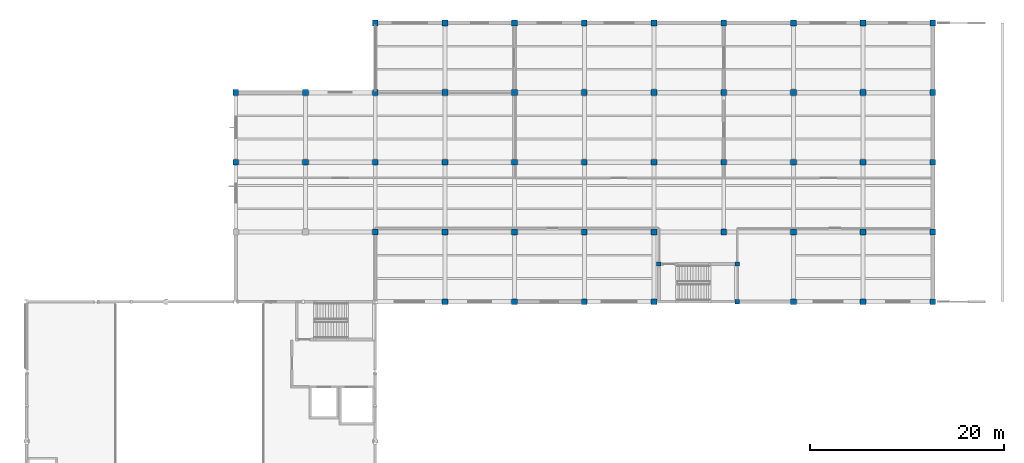
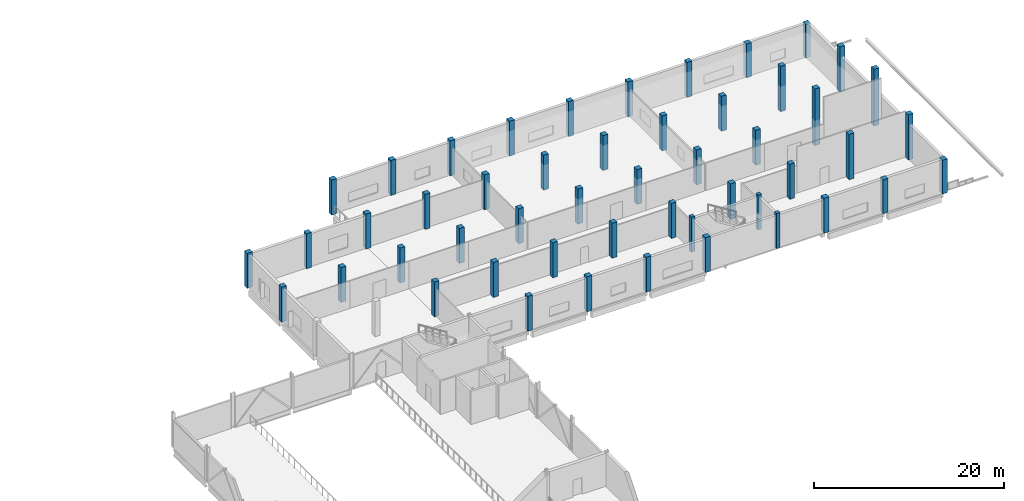
# One storey, part 5 of 105: 50 columns.
"""IFC4 building model written with IfcOpenShell, lengths in metres."""

from ifc_helpers import new_model, si_unit, direction, frame, origin, origin_2d, place, context, subcontext, project, spatial, rectangle, extrude, material, material_profile, profile_set, type_object, element, save


model = new_model("IFC4")

# Units and contexts
model_context = context("Model", 3, precision=1e-05, world=origin(), true_north=direction((0.0, 1.0)))
body_context = subcontext(model_context, "Body", "Model", "MODEL_VIEW")
ifc_project = project(units=[si_unit("LENGTHUNIT", "METRE"), si_unit("AREAUNIT", "SQUARE_METRE"), si_unit("VOLUMEUNIT", "CUBIC_METRE"), si_unit("PLANEANGLEUNIT", "RADIAN"), si_unit("MASSUNIT", "GRAM", prefix="KILO"), si_unit("THERMODYNAMICTEMPERATUREUNIT", "KELVIN"), si_unit("POWERUNIT", "WATT")], contexts=[model_context])

# Site, building, storey
site_placement = place(None, origin())
site = spatial("IfcSite", under=ifc_project, at=site_placement, CompositionType="ELEMENT")
building_placement = place(site_placement, origin())
building = spatial("IfcBuilding", under=site, at=building_placement, Name="Kaldorven Railside Theatre", CompositionType="ELEMENT")
storey_placement = place(building_placement, frame((0.0, 0.0, 9.89990234375)))
storey = spatial("IfcBuildingStorey", under=building, at=storey_placement, Name="L02", CompositionType="ELEMENT", Elevation=9.89990234375)

# Columns
ifc_material = material(Name="Concrete C40/50", Category="concrete")
ifc_material_profile_1 = material_profile(ifc_material, rectangle(XDim=0.449951171875, YDim=0.449951171875, at=origin_2d()), Name="RC 450x450")
ifc_profile_set_1 = profile_set([ifc_material_profile_1], Name="Concrete C40/50")
column_type_1 = type_object("IfcColumnType", Name="COL-RC450", PredefinedType="COLUMN", material=ifc_profile_set_1)
for number, where, z_axis, x_axis, name in (
    (1, (160.60009765625, 112.800048828125, 0.0), (0.0, 0.0, 1.0), (1.0, 0.0, 0.0), "Core ST-08 L02 Boundary Column CCR-042"),
    (2, (160.60009765625, 116.699951171875, 0.0), (0.0, 0.0, 1.0), (1.0, 0.0, 0.0), "Core ST-08 L02 Boundary Column CCR-047"),
    (3, (152.5, 116.699951171875, 0.0), (0.0, 0.0, 1.0), (1.0, 0.0, 0.0), "Core ST-08 L02 Boundary Column CCR-052"),
):
    element("IfcColumn", number, at=place(storey_placement, frame(where, z_axis=z_axis, x_axis=x_axis)), inside=storey, type_object=column_type_1, Name=name, PredefinedType="COLUMN", context=body_context, shape_type="SweptSolid", body=[
        extrude(rectangle(XDim=0.449951171875, YDim=0.449951171875, at=origin_2d()), origin(), (0.0, 0.0, 1.0), 4.5),
    ])
ifc_material_profile_2 = material_profile(ifc_material, rectangle(XDim=0.60009765625, YDim=0.60009765625, at=origin_2d()), Name="RC 600x600")
ifc_profile_set_2 = profile_set([ifc_material_profile_2], Name="Concrete C40/50")
column_type_2 = type_object("IfcColumnType", Name="COL-RC600", PredefinedType="COLUMN", material=ifc_profile_set_2)
for number, where, z_axis, x_axis, name in (
    (4, (130.39990234375, 112.800048828125, 0.0), (0.0, 0.0, 1.0), (0.0, 1.0, 0.0), "L02 Column CG-L02-130-112"),
    (5, (137.60009765625, 112.800048828125, 0.0), (0.0, 0.0, 1.0), (1.0, 0.0, 0.0), "L02 Column CG-L02-137-112"),
    (6, (144.800048828125, 112.800048828125, 0.0), (0.0, 0.0, 1.0), (0.0, 1.0, 0.0), "L02 Column CG-L02-144-112"),
    (7, (152.0, 112.800048828125, 0.0), (0.0, 0.0, 1.0), (1.0, 0.0, 0.0), "L02 Column CG-L02-152-112"),
    (8, (166.39990234375, 112.800048828125, 0.0), (0.0, 0.0, 1.0), (0.0, 1.0, 0.0), "L02 Column CG-L02-166-112"),
):
    element("IfcColumn", number, at=place(storey_placement, frame(where, z_axis=z_axis, x_axis=x_axis)), inside=storey, type_object=column_type_2, Name=name, PredefinedType="COLUMN", context=body_context, shape_type="SweptSolid", body=[
        extrude(rectangle(XDim=0.60009765625, YDim=0.60009765625, at=origin_2d()), origin(), (0.0, 0.0, 1.0), 4.5),
    ])
for number, where, z_axis, x_axis, name in (
    (9, (173.60009765625, 112.800048828125, 0.0), (0.0, 0.0, 1.0), (1.0, 0.0, 0.0), "L02 Column CG-L02-173-112"),
    (10, (180.800048828125, 112.800048828125, 0.0), (0.0, 0.0, 1.0), (0.0, 1.0, 0.0), "L02 Column CG-L02-180-112"),
):
    element("IfcColumn", number, at=place(storey_placement, frame(where, z_axis=z_axis, x_axis=x_axis)), inside=storey, type_object=column_type_2, Name=name, PredefinedType="COLUMN", context=body_context, shape_type="SweptSolid", body=[
        extrude(rectangle(XDim=0.60009765625, YDim=0.60009765625, at=origin_2d()), origin(), (0.0, 0.0, 1.0), 4.346435546875),
    ])
for number, where, z_axis, x_axis, name in (
    (11, (123.199951171875, 120.0, 0.0), (0.0, 0.0, 1.0), (0.0, 1.0, 0.0), "L02 Column CG-L02-123-120"),
    (12, (130.39990234375, 120.0, 0.0), (0.0, 0.0, 1.0), (1.0, 0.0, 0.0), "L02 Column CG-L02-130-120"),
    (13, (137.60009765625, 120.0, 0.0), (0.0, 0.0, 1.0), (0.0, 1.0, 0.0), "L02 Column CG-L02-137-120"),
    (14, (144.800048828125, 120.0, 0.0), (0.0, 0.0, 1.0), (1.0, 0.0, 0.0), "L02 Column CG-L02-144-120"),
    (15, (152.0, 120.0, 0.0), (0.0, 0.0, 1.0), (1.0, 0.0, 0.0), "L02 Column CG-L02-152-120"),
    (16, (159.199951171875, 120.0, 0.0), (0.0, 0.0, 1.0), (0.0, 1.0, 0.0), "L02 Column CG-L02-159-120"),
    (17, (166.39990234375, 120.0, 0.0), (0.0, 0.0, 1.0), (1.0, 0.0, 0.0), "L02 Column CG-L02-166-120"),
):
    element("IfcColumn", number, at=place(storey_placement, frame(where, z_axis=z_axis, x_axis=x_axis)), inside=storey, type_object=column_type_2, Name=name, PredefinedType="COLUMN", context=body_context, shape_type="SweptSolid", body=[
        extrude(rectangle(XDim=0.60009765625, YDim=0.60009765625, at=origin_2d()), origin(), (0.0, 0.0, 1.0), 4.5),
    ])
for number, where, z_axis, x_axis, name in (
    (18, (173.60009765625, 120.0, 0.0), (0.0, 0.0, 1.0), (0.0, 1.0, 0.0), "L02 Column CG-L02-173-120"),
    (19, (180.800048828125, 120.0, 0.0), (0.0, 0.0, 1.0), (1.0, 0.0, 0.0), "L02 Column CG-L02-180-120"),
):
    element("IfcColumn", number, at=place(storey_placement, frame(where, z_axis=z_axis, x_axis=x_axis)), inside=storey, type_object=column_type_2, Name=name, PredefinedType="COLUMN", context=body_context, shape_type="SweptSolid", body=[
        extrude(rectangle(XDim=0.60009765625, YDim=0.60009765625, at=origin_2d()), origin(), (0.0, 0.0, 1.0), 5.821533203125),
    ])
for number, where, z_axis, x_axis, name in (
    (20, (108.800048828125, 127.199951171875, 0.0), (0.0, 0.0, 1.0), (1.0, 0.0, 0.0), "L02 Column CG-L02-108-127"),
    (21, (116.0, 127.199951171875, 0.0), (0.0, 0.0, 1.0), (0.0, 1.0, 0.0), "L02 Column CG-L02-116-127"),
    (22, (123.199951171875, 127.199951171875, 0.0), (0.0, 0.0, 1.0), (1.0, 0.0, 0.0), "L02 Column CG-L02-123-127"),
    (23, (130.39990234375, 127.199951171875, 0.0), (0.0, 0.0, 1.0), (0.0, 1.0, 0.0), "L02 Column CG-L02-130-127"),
    (24, (137.60009765625, 127.199951171875, 0.0), (0.0, 0.0, 1.0), (1.0, 0.0, 0.0), "L02 Column CG-L02-137-127"),
    (25, (144.800048828125, 127.199951171875, 0.0), (0.0, 0.0, 1.0), (1.0, 0.0, 0.0), "L02 Column CG-L02-144-127"),
    (26, (152.0, 127.199951171875, 0.0), (0.0, 0.0, 1.0), (0.0, 1.0, 0.0), "L02 Column CG-L02-152-127"),
    (27, (159.199951171875, 127.199951171875, 0.0), (0.0, 0.0, 1.0), (1.0, 0.0, 0.0), "L02 Column CG-L02-159-127"),
    (28, (166.39990234375, 127.199951171875, 0.0), (0.0, 0.0, 1.0), (0.0, 1.0, 0.0), "L02 Column CG-L02-166-127"),
):
    element("IfcColumn", number, at=place(storey_placement, frame(where, z_axis=z_axis, x_axis=x_axis)), inside=storey, type_object=column_type_2, Name=name, PredefinedType="COLUMN", context=body_context, shape_type="SweptSolid", body=[
        extrude(rectangle(XDim=0.60009765625, YDim=0.60009765625, at=origin_2d()), origin(), (0.0, 0.0, 1.0), 4.5),
    ])
for number, where, z_axis, x_axis, name in (
    (29, (173.60009765625, 127.199951171875, 0.0), (0.0, 0.0, 1.0), (1.0, 0.0, 0.0), "L02 Column CG-L02-173-127"),
    (30, (180.800048828125, 127.199951171875, 0.0), (0.0, 0.0, 1.0), (1.0, 0.0, 0.0), "L02 Column CG-L02-180-127"),
):
    element("IfcColumn", number, at=place(storey_placement, frame(where, z_axis=z_axis, x_axis=x_axis)), inside=storey, type_object=column_type_2, Name=name, PredefinedType="COLUMN", context=body_context, shape_type="SweptSolid", body=[
        extrude(rectangle(XDim=0.60009765625, YDim=0.60009765625, at=origin_2d()), origin(), (0.0, 0.0, 1.0), 7.29638671875),
    ])
for number, where, z_axis, x_axis, name in (
    (31, (108.800048828125, 134.39990234375, 0.0), (0.0, 0.0, 1.0), (0.0, 1.0, 0.0), "L02 Column CG-L02-108-134"),
    (32, (116.0, 134.39990234375, 0.0), (0.0, 0.0, 1.0), (1.0, 0.0, 0.0), "L02 Column CG-L02-116-134"),
    (33, (123.199951171875, 134.39990234375, 0.0), (0.0, 0.0, 1.0), (0.0, 1.0, 0.0), "L02 Column CG-L02-123-134"),
    (34, (130.39990234375, 134.39990234375, 0.0), (0.0, 0.0, 1.0), (1.0, 0.0, 0.0), "L02 Column CG-L02-130-134"),
    (35, (137.60009765625, 134.39990234375, 0.0), (0.0, 0.0, 1.0), (1.0, 0.0, 0.0), "L02 Column CG-L02-137-134"),
    (36, (144.800048828125, 134.39990234375, 0.0), (0.0, 0.0, 1.0), (0.0, 1.0, 0.0), "L02 Column CG-L02-144-134"),
    (37, (152.0, 134.39990234375, 0.0), (0.0, 0.0, 1.0), (1.0, 0.0, 0.0), "L02 Column CG-L02-152-134"),
    (38, (159.199951171875, 134.39990234375, 0.0), (0.0, 0.0, 1.0), (0.0, 1.0, 0.0), "L02 Column CG-L02-159-134"),
    (39, (166.39990234375, 134.39990234375, 0.0), (0.0, 0.0, 1.0), (1.0, 0.0, 0.0), "L02 Column CG-L02-166-134"),
):
    element("IfcColumn", number, at=place(storey_placement, frame(where, z_axis=z_axis, x_axis=x_axis)), inside=storey, type_object=column_type_2, Name=name, PredefinedType="COLUMN", context=body_context, shape_type="SweptSolid", body=[
        extrude(rectangle(XDim=0.60009765625, YDim=0.60009765625, at=origin_2d()), origin(), (0.0, 0.0, 1.0), 4.5),
    ])
for number, where, z_axis, x_axis, name in (
    (40, (173.60009765625, 134.39990234375, 0.0), (0.0, 0.0, 1.0), (1.0, 0.0, 0.0), "L02 Column CG-L02-173-134"),
    (41, (180.800048828125, 134.39990234375, 0.0), (0.0, 0.0, 1.0), (0.0, 1.0, 0.0), "L02 Column CG-L02-180-134"),
):
    element("IfcColumn", number, at=place(storey_placement, frame(where, z_axis=z_axis, x_axis=x_axis)), inside=storey, type_object=column_type_2, Name=name, PredefinedType="COLUMN", context=body_context, shape_type="SweptSolid", body=[
        extrude(rectangle(XDim=0.60009765625, YDim=0.60009765625, at=origin_2d()), origin(), (0.0, 0.0, 1.0), 5.821533203125),
    ])
for number, where, z_axis, x_axis, name in (
    (42, (123.199951171875, 141.60009765625, 0.0), (0.0, 0.0, 1.0), (1.0, 0.0, 0.0), "L02 Column CG-L02-123-141"),
    (43, (130.39990234375, 141.60009765625, 0.0), (0.0, 0.0, 1.0), (1.0, 0.0, 0.0), "L02 Column CG-L02-130-141"),
    (44, (137.60009765625, 141.60009765625, 0.0), (0.0, 0.0, 1.0), (0.0, 1.0, 0.0), "L02 Column CG-L02-137-141"),
    (45, (144.800048828125, 141.60009765625, 0.0), (0.0, 0.0, 1.0), (1.0, 0.0, 0.0), "L02 Column CG-L02-144-141"),
    (46, (152.0, 141.60009765625, 0.0), (0.0, 0.0, 1.0), (0.0, 1.0, 0.0), "L02 Column CG-L02-152-141"),
    (47, (159.199951171875, 141.60009765625, 0.0), (0.0, 0.0, 1.0), (1.0, 0.0, 0.0), "L02 Column CG-L02-159-141"),
    (48, (166.39990234375, 141.60009765625, 0.0), (0.0, 0.0, 1.0), (1.0, 0.0, 0.0), "L02 Column CG-L02-166-141"),
):
    element("IfcColumn", number, at=place(storey_placement, frame(where, z_axis=z_axis, x_axis=x_axis)), inside=storey, type_object=column_type_2, Name=name, PredefinedType="COLUMN", context=body_context, shape_type="SweptSolid", body=[
        extrude(rectangle(XDim=0.60009765625, YDim=0.60009765625, at=origin_2d()), origin(), (0.0, 0.0, 1.0), 4.5),
    ])
for number, where, z_axis, x_axis, name in (
    (49, (173.60009765625, 141.60009765625, 0.0), (0.0, 0.0, 1.0), (0.0, 1.0, 0.0), "L02 Column CG-L02-173-141"),
    (50, (180.800048828125, 141.60009765625, 0.0), (0.0, 0.0, 1.0), (1.0, 0.0, 0.0), "L02 Column CG-L02-180-141"),
):
    element("IfcColumn", number, at=place(storey_placement, frame(where, z_axis=z_axis, x_axis=x_axis)), inside=storey, type_object=column_type_2, Name=name, PredefinedType="COLUMN", context=body_context, shape_type="SweptSolid", body=[
        extrude(rectangle(XDim=0.60009765625, YDim=0.60009765625, at=origin_2d()), origin(), (0.0, 0.0, 1.0), 4.346435546875),
    ])

save(model, "model.ifc")
